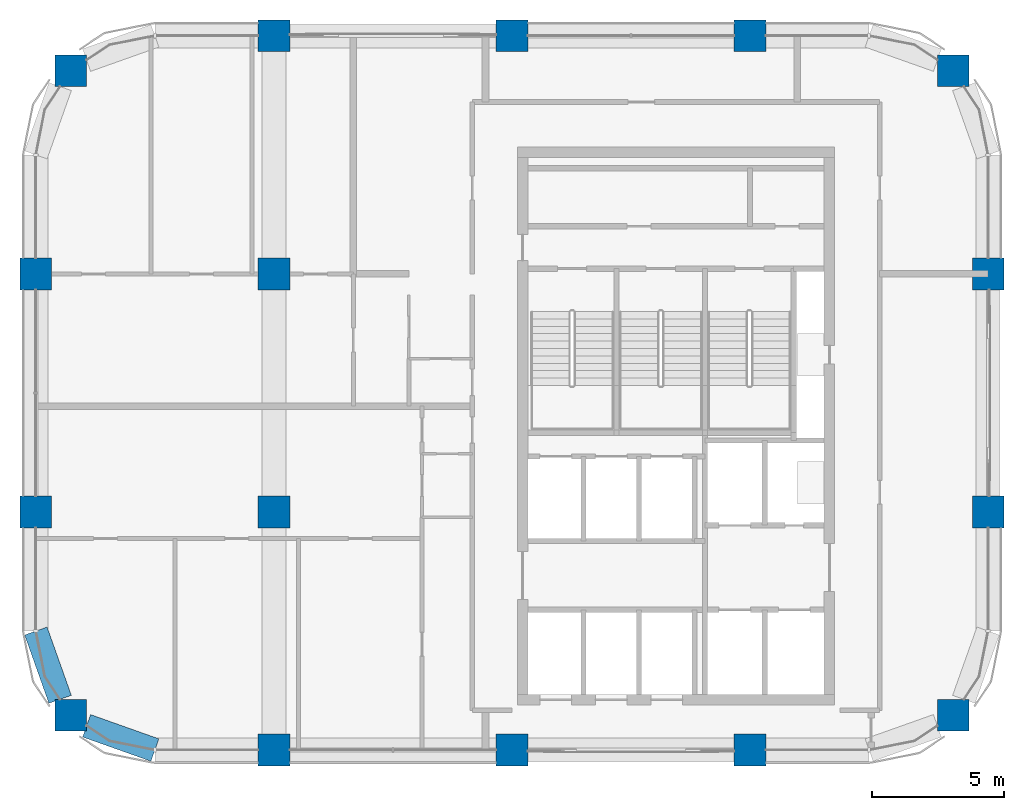
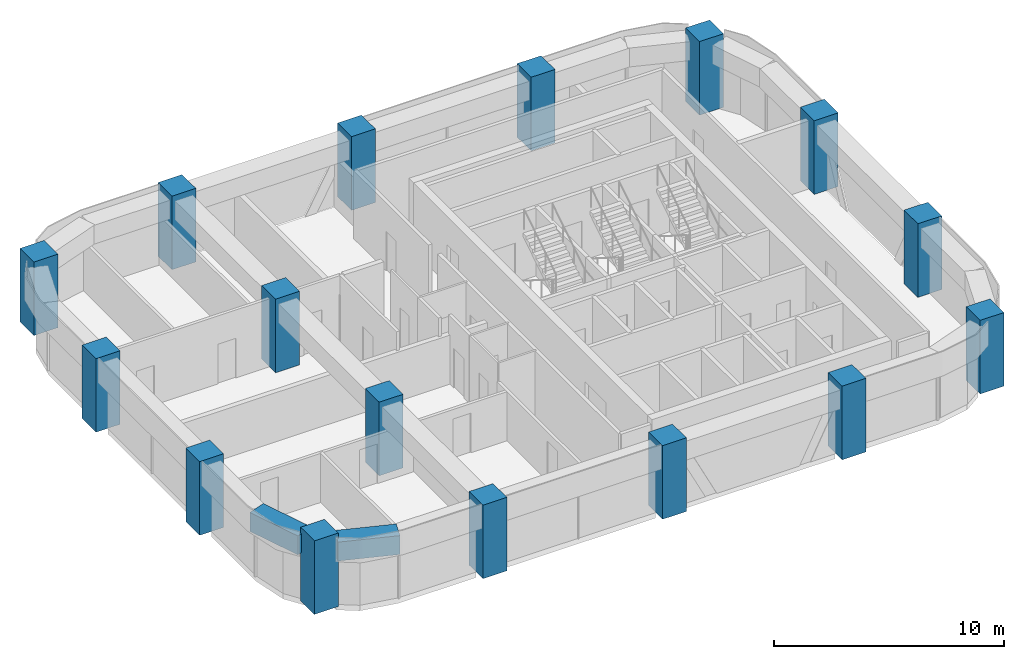
# One storey, part 1 of 9: 16 columns, 2 beams.
"""IFC4 building model written with IfcOpenShell, lengths in metres."""

from ifc_helpers import new_model, si_unit, direction, frame, origin, origin_2d, place, context, subcontext, project, spatial, rectangle, extrude, material, material_profile, profile_set, type_object, element, save


model = new_model("IFC4")

# Units and contexts
model_context = context("Model", 3, precision=1e-05, world=origin(), true_north=direction((0.0, 1.0)))
body_context = subcontext(model_context, "Body", "Model", "MODEL_VIEW")
ifc_project = project(units=[si_unit("LENGTHUNIT", "METRE"), si_unit("AREAUNIT", "SQUARE_METRE"), si_unit("VOLUMEUNIT", "CUBIC_METRE"), si_unit("PLANEANGLEUNIT", "RADIAN"), si_unit("MASSUNIT", "GRAM", prefix="KILO")], contexts=[model_context])

# Site, building, storey
site_placement = place(None, origin())
site = spatial("IfcSite", under=ifc_project, at=site_placement, CompositionType="ELEMENT")
building_placement = place(site_placement, origin())
building = spatial("IfcBuilding", under=site, at=building_placement, Name="Tessera Arch", CompositionType="ELEMENT")
storey_placement = place(building_placement, frame((0.0, 0.0, 246.199951171875)))
storey = spatial("IfcBuildingStorey", under=building, at=storey_placement, Name="L59", CompositionType="ELEMENT", Elevation=246.199951171875)

# Columns
ifc_material_1 = material(Name="Concrete C60/75", Category="concrete")
ifc_material_profile_1 = material_profile(ifc_material_1, rectangle(XDim=1.199951171875, YDim=1.199951171875, at=origin_2d()), Name="RC column 1200 x 1200 Concrete C60/75")
ifc_profile_set_1 = profile_set([ifc_material_profile_1], Name="Concrete C60/75")
column_type = type_object("IfcColumnType", Name="RC column 1200 x 1200 Concrete C60/75", PredefinedType="COLUMN", material=ifc_profile_set_1)
for number, where, z_axis, x_axis, name in (
    (1, (19.318115234375, 28.318115234375, 0.0), (0.0, 0.0, 1.0), (1.0, 0.0, 0.0), "Column C3D L59"),
    (2, (18.0, 36.0, 0.0), (0.0, 0.0, 1.0), (1.0, 0.0, 0.0), "Column C3E L59"),
    (3, (18.0, 45.0, 0.0), (0.0, 0.0, 1.0), (1.0, 0.0, 0.0), "Column C3F L59"),
    (4, (19.318115234375, 52.681884765625, 0.0), (0.0, 0.0, 1.0), (1.0, 0.0, 0.0), "Column C3G L59"),
    (5, (27.0, 27.0, 0.0), (0.0, 0.0, 1.0), (1.0, 0.0, 0.0), "Column C4D L59"),
    (6, (27.0, 36.0, 0.0), (0.0, 0.0, 1.0), (1.0, 0.0, 0.0), "Column C4E L59"),
    (7, (27.0, 45.0, 0.0), (0.0, 0.0, 1.0), (1.0, 0.0, 0.0), "Column C4F L59"),
    (8, (27.0, 54.0, 0.0), (0.0, 0.0, 1.0), (1.0, 0.0, 0.0), "Column C4G L59"),
    (9, (36.0, 27.0, 0.0), (0.0, 0.0, 1.0), (1.0, 0.0, 0.0), "Column C5D L59"),
    (10, (36.0, 54.0, 0.0), (0.0, 0.0, 1.0), (1.0, 0.0, 0.0), "Column C5G L59"),
    (11, (45.0, 27.0, 0.0), (0.0, 0.0, 1.0), (1.0, 0.0, 0.0), "Column C6D L59"),
    (12, (45.0, 54.0, 0.0), (0.0, 0.0, 1.0), (1.0, 0.0, 0.0), "Column C6G L59"),
    (13, (52.681884765625, 28.318115234375, 0.0), (0.0, 0.0, 1.0), (1.0, 0.0, 0.0), "Column C7D L59"),
    (14, (54.0, 36.0, 0.0), (0.0, 0.0, 1.0), (1.0, 0.0, 0.0), "Column C7E L59"),
    (15, (54.0, 45.0, 0.0), (0.0, 0.0, 1.0), (1.0, 0.0, 0.0), "Column C7F L59"),
    (16, (52.681884765625, 52.681884765625, 0.0), (0.0, 0.0, 1.0), (1.0, 0.0, 0.0), "Column C7G L59"),
):
    element("IfcColumn", number, at=place(storey_placement, frame(where, z_axis=z_axis, x_axis=x_axis)), inside=storey, type_object=column_type, Name=name, PredefinedType="COLUMN", context=body_context, shape_type="SweptSolid", body=[
        extrude(rectangle(XDim=1.199951171875, YDim=1.199951171875, at=origin_2d()), origin(), (0.0, 0.0, 1.0), 3.900146484375),
    ])

# Beams
ifc_material_2 = material(Name="Concrete C60/75", Category="concrete")
ifc_material_profile_2 = material_profile(ifc_material_2, rectangle(XDim=0.89990234375, YDim=1.0, at=origin_2d()), Name="RC spandrel beam 900 x 1000 Concrete C60/75")
ifc_profile_set_2 = profile_set([ifc_material_profile_2], Name="Concrete C60/75")
beam_type = type_object("IfcBeamType", Name="RC spandrel beam 900 x 1000 Concrete C60/75", PredefinedType="BEAM", material=ifc_profile_set_2)
for number, where, z_axis, x_axis, name in (
    (17, (18.0, 31.5, 3.10009765625), (0.334665114373, -0.942337127159, 0.0), (0.942337127159, 0.334665114373, 0.0), "Spandrel beam L59 W18.27/2.2"),
    (18, (19.91796875, 27.9169921875, 3.10009765625), (0.942337127159, -0.334665114373, 0.0), (0.334665114373, 0.942337127159, 0.0), "Spandrel beam L59 S27.18/0.1"),
):
    element("IfcBeam", number, at=place(storey_placement, frame(where, z_axis=z_axis, x_axis=x_axis)), inside=storey, type_object=beam_type, Name=name, PredefinedType="BEAM", context=body_context, shape_type="SweptSolid", body=[
        extrude(rectangle(XDim=0.89990234375, YDim=1.0, at=origin_2d()), origin(), (0.0, 0.0, 1.0), 2.739990234375),
    ])

save(model, "model.ifc")
